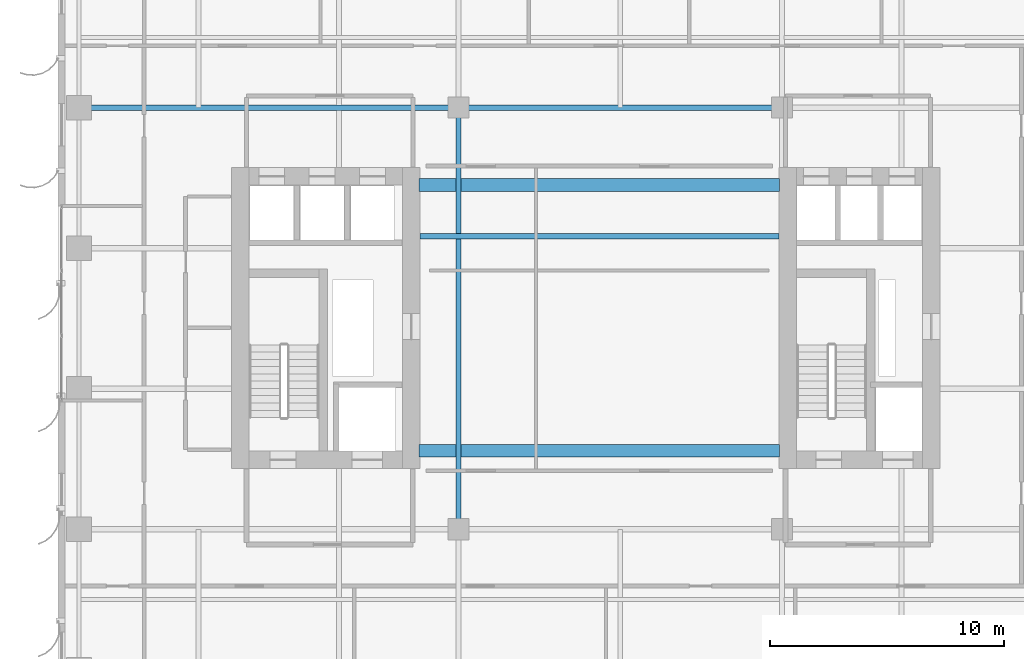
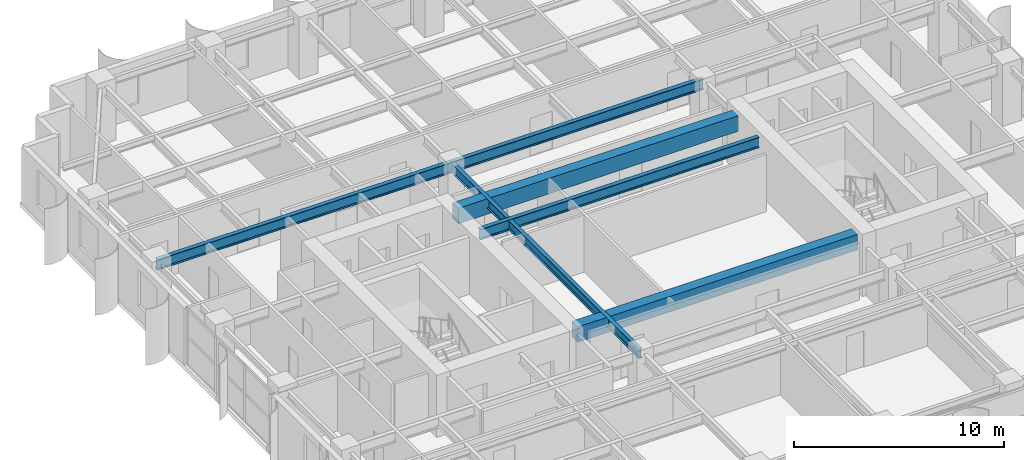
# One storey, part 8 of 22: 6 beams.
"""IFC4 building model written with IfcOpenShell, lengths in metres."""

from ifc_helpers import new_model, si_unit, direction, frame, origin, origin_2d, place, context, subcontext, project, spatial, rectangle, i_section, extrude, source, transform, mapped, material, material_profile, profile_set, type_object, element, save


model = new_model("IFC4")

# Units and contexts
model_context = context("Model", 3, precision=1e-05, world=origin(), true_north=direction((0.0, 1.0)))
body_context = subcontext(model_context, "Body", "Model", "MODEL_VIEW")
ifc_project = project(units=[si_unit("LENGTHUNIT", "METRE"), si_unit("AREAUNIT", "SQUARE_METRE"), si_unit("VOLUMEUNIT", "CUBIC_METRE"), si_unit("PLANEANGLEUNIT", "RADIAN"), si_unit("MASSUNIT", "GRAM", prefix="KILO")], contexts=[model_context])

# Site, building, storey
site_placement = place(None, origin())
site = spatial("IfcSite", under=ifc_project, at=site_placement, CompositionType="ELEMENT")
building_placement = place(site_placement, origin())
building = spatial("IfcBuilding", under=site, at=building_placement, Name="Khoralis Quay Care Tower", CompositionType="ELEMENT")
storey_placement = place(building_placement, frame((0.0, 0.0, 141.300048828125)))
storey = spatial("IfcBuildingStorey", under=building, at=storey_placement, Name="L37", CompositionType="ELEMENT", Elevation=141.300048828125)

# Beams
ifc_material_1 = material(Name="Concrete C65/80", Category="concrete")
ifc_material_profile_1 = material_profile(ifc_material_1, rectangle(XDim=0.550048828125, YDim=0.89990234375, at=origin_2d()), Name="Concrete C65/80")
ifc_profile_set_1 = profile_set([ifc_material_profile_1], Name="Concrete C65/80")
beam_type_1 = type_object("IfcBeamType", Name="CB-RC550X900", PredefinedType="LINTEL", material=ifc_profile_set_1)
shared_shape_1 = source(origin(), body_context, "Body", "SweptSolid", [
    extrude(rectangle(XDim=0.550048828125, YDim=0.89990234375, at=origin_2d()), origin(), (0.0, 0.0, 1.0), 15.380126953125),
])
for number, where, z_axis, x_axis, name in (
    (1, (15.419921875, 15.35009765625, 2.869873046875), (1.0, 0.0, 0.0), (0.0, 1.0, 0.0), "L37 South Core Coupling Lintel"),
    (2, (15.419921875, 26.699951171875, 2.869873046875), (1.0, 0.0, 0.0), (0.0, 1.0, 0.0), "L37 North Core Coupling Lintel"),
):
    element("IfcBeam", number, at=place(storey_placement, frame(where, z_axis=z_axis, x_axis=x_axis)), inside=storey, type_object=beam_type_1, Name=name, PredefinedType="LINTEL", context=body_context, shape_type="MappedRepresentation", body=[
        mapped(shared_shape_1, transform((0.0, 0.0, 0.0), scale=1.0)),
    ])
ifc_material_2 = material(Name="Steel S355", Category="steel")
ifc_material_profile_2 = material_profile(ifc_material_2, i_section(OverallWidth=0.22998046875, OverallDepth=0.616943359375, WebThickness=0.01318359375, FlangeThickness=0.022216796875, FilletRadius=0.01806640625, at=origin_2d()), Name="Steel S355")
ifc_profile_set_2 = profile_set([ifc_material_profile_2], Name="Steel S355")
beam_type_2 = type_object("IfcBeamType", Name="BM-W610X140", PredefinedType="BEAM", material=ifc_profile_set_2)
shared_shape_2 = source(origin(), body_context, "Body", "SweptSolid", [
    extrude(i_section(OverallWidth=0.22998046875, OverallDepth=0.616943359375, WebThickness=0.01318359375, FlangeThickness=0.022216796875, FilletRadius=0.01806640625, at=origin_2d()), origin(), (0.0, 0.0, 1.0), 16.2001953125),
])
beam_1_placement = place(storey_placement, frame((0.89990234375, 30.0, 3.011474609375), z_axis=(1.0, 0.0, 0.0), x_axis=(0.0, 1.0, 0.0)))
element("IfcBeam", 3, at=beam_1_placement, inside=storey, type_object=beam_type_2, Name="BM-TGXW-L37-300", PredefinedType="BEAM", context=body_context, shape_type="MappedRepresentation", body=[
    mapped(shared_shape_2, transform((0.0, 0.0, 0.0), scale=1.0)),
])
shared_shape_3 = source(origin(), body_context, "Body", "SweptSolid", [
    extrude(i_section(OverallWidth=0.22998046875, OverallDepth=0.616943359375, WebThickness=0.01318359375, FlangeThickness=0.022216796875, FilletRadius=0.01806640625, at=origin_2d()), origin(), (0.0, 0.0, 1.0), 13.7998046875),
])
beam_2_placement = place(storey_placement, frame((17.10009765625, 30.0, 3.011474609375), z_axis=(1.0, 0.0, 0.0), x_axis=(0.0, 1.0, 0.0)))
element("IfcBeam", 4, at=beam_2_placement, inside=storey, type_object=beam_type_2, Name="BM-TGCC-L37-300", PredefinedType="BEAM", context=body_context, shape_type="MappedRepresentation", body=[
    mapped(shared_shape_3, transform((0.0, 0.0, 0.0), scale=1.0)),
])
shared_shape_4 = source(origin(), body_context, "Body", "SweptSolid", [
    extrude(i_section(OverallWidth=0.22998046875, OverallDepth=0.616943359375, WebThickness=0.01318359375, FlangeThickness=0.022216796875, FilletRadius=0.01806640625, at=origin_2d()), origin(), (0.0, 0.0, 1.0), 15.323974609375),
])
beam_3_placement = place(storey_placement, frame((15.447998046875, 24.5, 3.011474609375), z_axis=(1.0, 0.0, 0.0), x_axis=(0.0, 1.0, 0.0)))
element("IfcBeam", 5, at=beam_3_placement, inside=storey, type_object=beam_type_2, Name="BM-TGCC-L37-245", PredefinedType="BEAM", context=body_context, shape_type="MappedRepresentation", body=[
    mapped(shared_shape_4, transform((0.0, 0.0, 0.0), scale=1.0)),
])
ifc_material_profile_3 = material_profile(ifc_material_2, i_section(OverallWidth=0.2119140625, OverallDepth=0.5439453125, WebThickness=0.01318359375, FlangeThickness=0.021240234375, FilletRadius=0.01611328125, at=origin_2d()), Name="Steel S355")
ifc_profile_set_3 = profile_set([ifc_material_profile_3], Name="Steel S355")
beam_type_3 = type_object("IfcBeamType", Name="BM-W530X123", PredefinedType="BEAM", material=ifc_profile_set_3)
shared_shape_5 = source(origin(), body_context, "Body", "SweptSolid", [
    extrude(i_section(OverallWidth=0.2119140625, OverallDepth=0.5439453125, WebThickness=0.01318359375, FlangeThickness=0.021240234375, FilletRadius=0.01611328125, at=origin_2d()), origin(), (0.0, 0.0, 1.0), 18.0),
])
beam_4_placement = place(storey_placement, frame((17.10009765625, 12.0, 3.0478515625), z_axis=(0.0, 1.0, 0.0), x_axis=(-1.0, 0.0, 0.0)))
element("IfcBeam", 6, at=beam_4_placement, inside=storey, type_object=beam_type_3, Name="BM-TGSW-L37", PredefinedType="BEAM", context=body_context, shape_type="MappedRepresentation", body=[
    mapped(shared_shape_5, transform((0.0, 0.0, 0.0), scale=1.0)),
])

save(model, "model.ifc")
